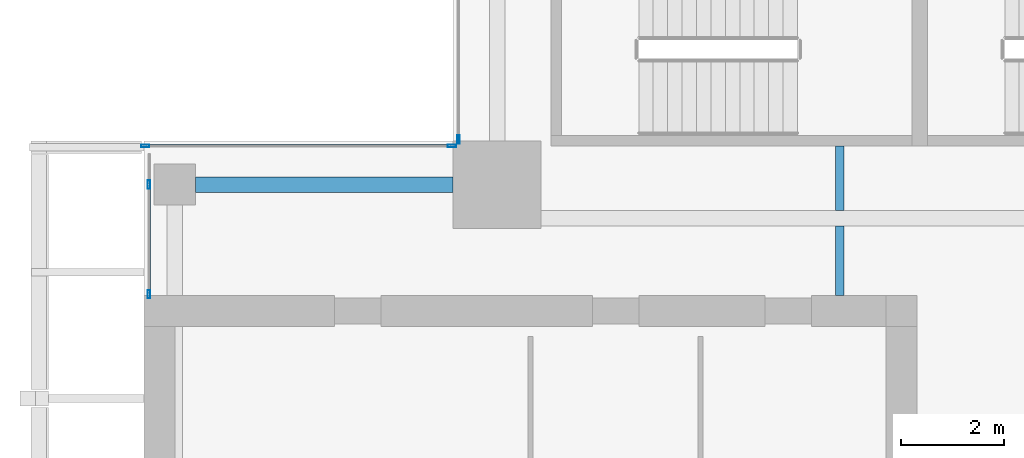
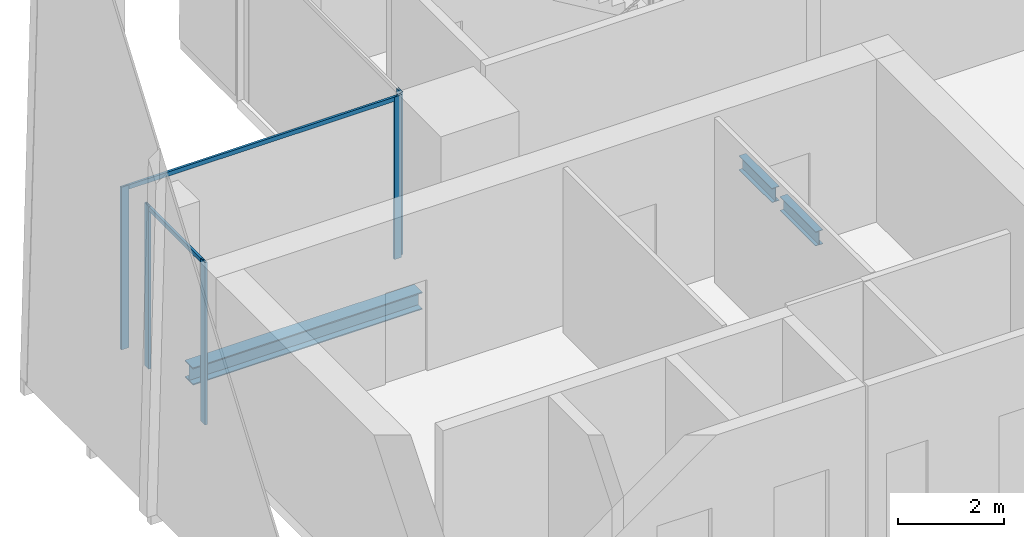
# One storey, part 13 of 33: 7 members, 3 beams, 3 elements without a shape of their own.
"""IFC4 building model written with IfcOpenShell, lengths in metres."""

from ifc_helpers import new_model, si_unit, direction, frame, origin, origin_2d, place, context, subcontext, project, spatial, hollow_rectangle, i_section, extrude, source, transform, mapped, material, material_profile, profile_set, type_object, element, aggregate, save


model = new_model("IFC4")

# Units and contexts
model_context = context("Model", 3, precision=1e-05, world=origin(), true_north=direction((0.0, 1.0)))
body_context = subcontext(model_context, "Body", "Model", "MODEL_VIEW")
ifc_project = project(units=[si_unit("LENGTHUNIT", "METRE"), si_unit("AREAUNIT", "SQUARE_METRE"), si_unit("VOLUMEUNIT", "CUBIC_METRE"), si_unit("PLANEANGLEUNIT", "RADIAN"), si_unit("MASSUNIT", "GRAM", prefix="KILO")], contexts=[model_context])

# Site, building, storey
site_placement = place(None, origin())
site = spatial("IfcSite", under=ifc_project, at=site_placement, CompositionType="ELEMENT")
building_placement = place(site_placement, origin())
building = spatial("IfcBuilding", under=site, at=building_placement, Name="Khomas Fold Tower", CompositionType="ELEMENT")
storey_placement = place(building_placement, frame((0.0, 0.0, 294.199951171875)))
storey = spatial("IfcBuildingStorey", under=building, at=storey_placement, Name="L66", CompositionType="ELEMENT", Elevation=294.199951171875)

# Beams
ifc_material_1 = material(Name="Steel S355", Category="steel")
ifc_material_profile_1 = material_profile(ifc_material_1, i_section(OverallWidth=0.159912109375, OverallDepth=0.330078125, WebThickness=0.007568359375, FlangeThickness=0.011474609375, at=origin_2d()), Name="IPE 330")
ifc_profile_set_1 = profile_set([ifc_material_profile_1], Name="Steel S355")
beam_type_1 = type_object("IfcBeamType", Name="IPE 330 beam JB1", PredefinedType="BEAM", material=ifc_profile_set_1)
shared_shape_1 = source(origin(), body_context, "Body", "SweptSolid", [
    extrude(i_section(OverallWidth=0.159912109375, OverallDepth=0.330078125, WebThickness=0.007568359375, FlangeThickness=0.011474609375, at=origin_2d()), origin(), (0.0, 0.0, 1.0), 1.25),
])
beam_1_placement = place(storey_placement, frame((19.5, 40.64990234375, -0.4150390625), z_axis=(0.0, 1.0, 0.0), x_axis=(-1.0, 0.0, 0.0)))
element("IfcBeam", 1, at=beam_1_placement, inside=storey, type_object=beam_type_1, Name="JB1", PredefinedType="BEAM", context=body_context, shape_type="MappedRepresentation", body=[
    mapped(shared_shape_1, transform((0.0, 0.0, 0.0))),
])
shared_shape_2 = source(origin(), body_context, "Body", "SweptSolid", [
    extrude(i_section(OverallWidth=0.159912109375, OverallDepth=0.330078125, WebThickness=0.007568359375, FlangeThickness=0.011474609375, at=origin_2d()), origin(), (0.0, 0.0, 1.0), 1.35009765625),
])
beam_2_placement = place(storey_placement, frame((19.5, 39.0, -0.4150390625), z_axis=(0.0, 1.0, 0.0), x_axis=(-1.0, 0.0, 0.0)))
element("IfcBeam", 2, at=beam_2_placement, inside=storey, type_object=beam_type_1, Name="JB1", PredefinedType="BEAM", context=body_context, shape_type="MappedRepresentation", body=[
    mapped(shared_shape_2, transform((0.0, 0.0, 0.0))),
])
ifc_material_2 = material(Name="Steel S355", Category="steel")
ifc_material_profile_2 = material_profile(ifc_material_2, i_section(OverallWidth=0.300048828125, OverallDepth=0.39990234375, WebThickness=0.013427734375, FlangeThickness=0.02392578125, at=origin_2d()), Name="HE 400 B")
ifc_profile_set_2 = profile_set([ifc_material_profile_2], Name="Steel S355")
beam_type_2 = type_object("IfcBeamType", Name="HE 400 B spandrel SB5", PredefinedType="SPANDREL", material=ifc_profile_set_2)
shared_shape_3 = source(origin(), body_context, "Body", "SweptSolid", [
    extrude(i_section(OverallWidth=0.300048828125, OverallDepth=0.39990234375, WebThickness=0.013427734375, FlangeThickness=0.02392578125, at=origin_2d()), origin(), (0.0, 0.0, 1.0), 5.0),
])
beam_3_placement = place(storey_placement, frame((7.0, 41.14990234375, -0.449951171875), z_axis=(1.0, 0.0, 0.0), x_axis=(0.0, 1.0, 0.0)))
element("IfcBeam", 3, at=beam_3_placement, inside=storey, type_object=beam_type_2, Name="SB5", PredefinedType="SPANDREL", context=body_context, shape_type="MappedRepresentation", body=[
    mapped(shared_shape_3, transform((0.0, 0.0, 0.0))),
])

# Curtain wall, member
ifc_material_3 = material(Name="Aluminium framed double glazing", Category="aluminium")
curtain_wall_type = type_object("IfcCurtainWallType", Name="SK-Unitised clear-glass wall, upper floors CW3", PredefinedType="NOTDEFINED", material=ifc_material_3)
curtain_wall_1_placement = place(storey_placement, origin())
curtain_wall_1 = element("IfcCurtainWall", 4, at=curtain_wall_1_placement, inside=storey, type_object=curtain_wall_type, Name="CW3 corner return L66 07", PredefinedType="NOTDEFINED")
ifc_material_4 = material(Name="Aluminium", Category="aluminium")
ifc_material_profile_3 = material_profile(ifc_material_4, hollow_rectangle(XDim=0.050048828125, YDim=0.159912109375, WallThickness=0.00390625, at=origin_2d()), Name="SK-Unitised clear-glass wall, upper floors mullion CW3-M")
ifc_profile_set_3 = profile_set([ifc_material_profile_3], Name="Aluminium")
member_type_1 = type_object("IfcMemberType", Name="SK-Unitised clear-glass wall, upper floors mullion CW3-M", PredefinedType="MULLION", material=ifc_profile_set_3)
shared_shape_4 = source(origin(), body_context, "Body", "SweptSolid", [
    extrude(hollow_rectangle(XDim=0.050048828125, YDim=0.159912109375, WallThickness=0.00390625, at=origin_2d()), origin(), (0.0, 0.0, 1.0), 3.75),
])
member_1_placement = place(storey_placement, frame((12.10009765625, 42.02490234375, 0.0), z_axis=(0.0, 0.0, 1.0), x_axis=(1.0, 0.0, 0.0)))
member_1 = element("IfcMember", 5, at=member_1_placement, type_object=member_type_1, Name="CW3 mullion 2", PredefinedType="MULLION", context=body_context, shape_type="MappedRepresentation", body=[
    mapped(shared_shape_4, transform((0.0, 0.0, 0.0))),
])
aggregate(curtain_wall_1, [member_1])

# Curtain wall, members
curtain_wall_2_placement = place(storey_placement, origin())
curtain_wall_2 = element("IfcCurtainWall", 6, at=curtain_wall_2_placement, inside=storey, type_object=curtain_wall_type, Name="CW3 corner return L66 08", PredefinedType="NOTDEFINED")
member_2_placement = place(storey_placement, frame((11.97509765625, 41.89990234375, 0.0), z_axis=(0.0, 0.0, 1.0), x_axis=(0.0, -1.0, 0.0)))
member_2 = element("IfcMember", 7, at=member_2_placement, type_object=member_type_1, Name="CW3 mullion 1", PredefinedType="MULLION", context=body_context, shape_type="MappedRepresentation", body=[
    mapped(shared_shape_4, transform((0.0, 0.0, 0.0))),
])
member_3_placement = place(storey_placement, frame((6.02490234375, 41.89990234375, 0.0), z_axis=(0.0, 0.0, 1.0), x_axis=(0.0, -1.0, 0.0)))
member_3 = element("IfcMember", 8, at=member_3_placement, type_object=member_type_1, Name="CW3 mullion 2", PredefinedType="MULLION", context=body_context, shape_type="MappedRepresentation", body=[
    mapped(shared_shape_4, transform((0.0, 0.0, 0.0))),
])

curtain_wall_3_placement = place(storey_placement, origin())
curtain_wall_3 = element("IfcCurtainWall", 9, at=curtain_wall_3_placement, inside=storey, type_object=curtain_wall_type, Name="CW3 run L66 09-0", PredefinedType="NOTDEFINED")
member_4_placement = place(storey_placement, frame((6.10009765625, 41.14990234375, 0.0), z_axis=(0.0, 0.0, 1.0), x_axis=(1.0, 0.0, 0.0)))
member_4 = element("IfcMember", 10, at=member_4_placement, type_object=member_type_1, Name="CW3 mullion 2", PredefinedType="MULLION", context=body_context, shape_type="MappedRepresentation", body=[
    mapped(shared_shape_4, transform((0.0, 0.0, 0.0))),
])
member_5_placement = place(storey_placement, frame((6.10009765625, 39.02490234375, 0.0), z_axis=(0.0, 0.0, 1.0), x_axis=(1.0, 0.0, 0.0)))
member_5 = element("IfcMember", 11, at=member_5_placement, type_object=member_type_1, Name="CW3 mullion 3", PredefinedType="MULLION", context=body_context, shape_type="MappedRepresentation", body=[
    mapped(shared_shape_4, transform((0.0, 0.0, 0.0))),
])

# Member
ifc_material_5 = material(Name="Aluminium", Category="aluminium")
ifc_material_profile_4 = material_profile(ifc_material_5, hollow_rectangle(XDim=0.050048828125, YDim=0.10009765625, WallThickness=0.00390625, at=origin_2d()), Name="SK-Unitised clear-glass wall, upper floors transom CW3-T")
ifc_profile_set_4 = profile_set([ifc_material_profile_4], Name="Aluminium")
member_type_2 = type_object("IfcMemberType", Name="SK-Unitised clear-glass wall, upper floors transom CW3-T", PredefinedType="USERDEFINED", material=ifc_profile_set_4)
shared_shape_5 = source(origin(), body_context, "Body", "SweptSolid", [
    extrude(hollow_rectangle(XDim=0.050048828125, YDim=0.10009765625, WallThickness=0.00390625, at=origin_2d()), origin(), (0.0, 0.0, 1.0), 5.89990234375),
])
member_6_placement = place(storey_placement, frame((11.949951171875, 41.89990234375, 3.699951171875), z_axis=(-1.0, 0.0, 0.0), x_axis=(0.0, -1.0, 0.0)))
member_6 = element("IfcMember", 12, at=member_6_placement, type_object=member_type_2, Name="CW3 transom 1", ObjectType="TRANSOM", PredefinedType="USERDEFINED", context=body_context, shape_type="MappedRepresentation", body=[
    mapped(shared_shape_5, transform((0.0, 0.0, 0.0))),
])

aggregate(curtain_wall_2, [member_2, member_3, member_6])

shared_shape_6 = source(origin(), body_context, "Body", "SweptSolid", [
    extrude(hollow_rectangle(XDim=0.050048828125, YDim=0.10009765625, WallThickness=0.00390625, at=origin_2d()), origin(), (0.0, 0.0, 1.0), 2.074951171875),
])
member_7_placement = place(storey_placement, frame((6.10009765625, 41.125, 3.699951171875), z_axis=(0.0, -1.0, 0.0), x_axis=(1.0, 0.0, 0.0)))
member_7 = element("IfcMember", 13, at=member_7_placement, type_object=member_type_2, Name="CW3 transom 2", ObjectType="TRANSOM", PredefinedType="USERDEFINED", context=body_context, shape_type="MappedRepresentation", body=[
    mapped(shared_shape_6, transform((0.0, 0.0, 0.0))),
])

aggregate(curtain_wall_3, [member_4, member_5, member_7])

save(model, "model.ifc")
